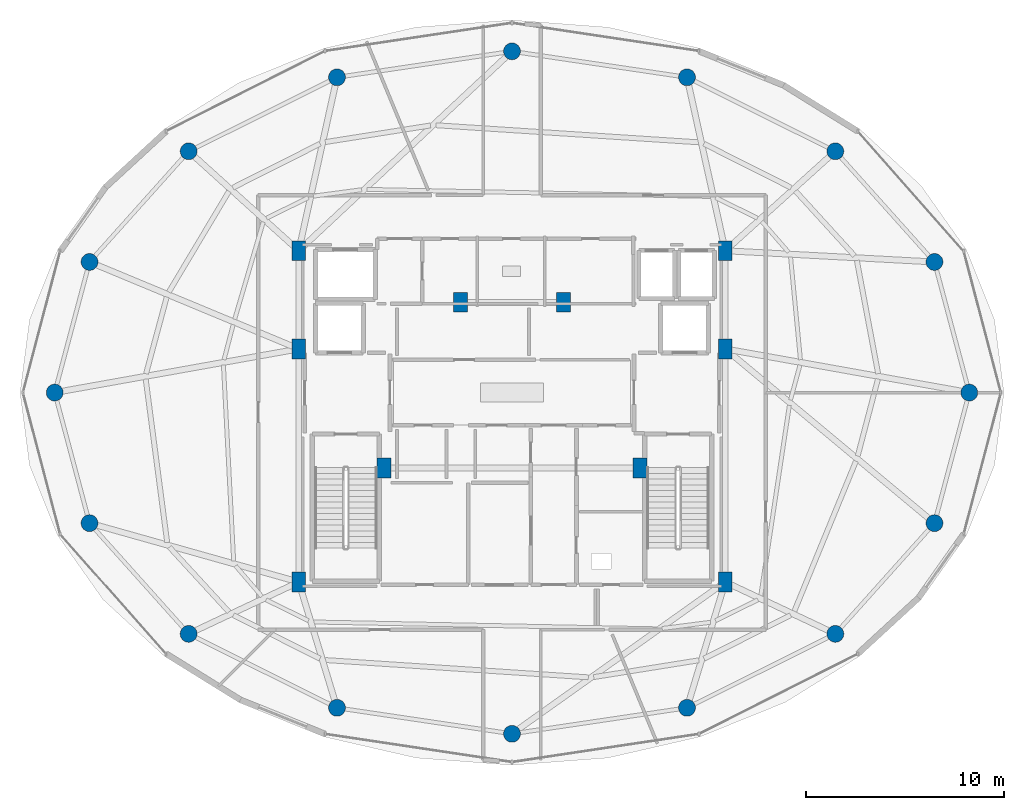
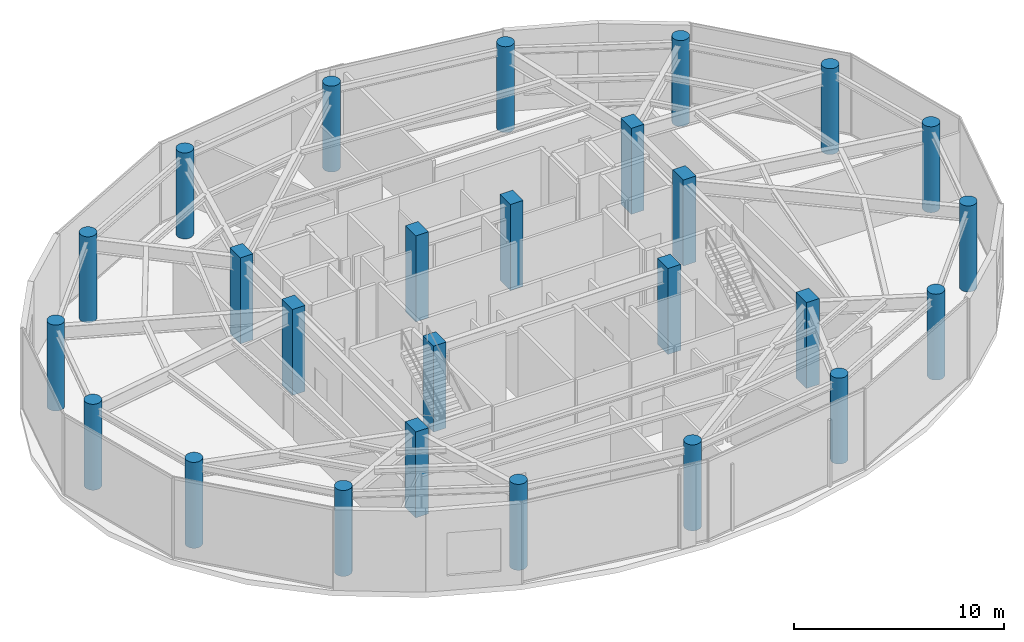
# One storey, part 1 of 24: 26 columns.
"""IFC4 building model written with IfcOpenShell, lengths in metres."""

from ifc_helpers import new_model, si_unit, direction, frame, origin, origin_2d, place, context, subcontext, project, spatial, rectangle, circle, extrude, material, material_profile, profile_set, type_object, element, save


model = new_model("IFC4")

# Units and contexts
model_context = context("Model", 3, precision=1e-05, world=origin(), true_north=direction((0.0, 1.0)))
body_context = subcontext(model_context, "Body", "Model", "MODEL_VIEW")
ifc_project = project(units=[si_unit("LENGTHUNIT", "METRE"), si_unit("AREAUNIT", "SQUARE_METRE"), si_unit("VOLUMEUNIT", "CUBIC_METRE"), si_unit("PLANEANGLEUNIT", "RADIAN"), si_unit("MASSUNIT", "GRAM", prefix="KILO")], contexts=[model_context])

# Site, building, storey
site_placement = place(None, origin())
site = spatial("IfcSite", under=ifc_project, at=site_placement, CompositionType="ELEMENT")
building_placement = place(site_placement, origin())
building = spatial("IfcBuilding", under=site, at=building_placement, Name="Vorneva Point Tower", CompositionType="ELEMENT")
storey_placement = place(building_placement, frame((0.0, 0.0, 285.39990234375)))
storey = spatial("IfcBuildingStorey", under=building, at=storey_placement, Name="L77", CompositionType="ELEMENT", Elevation=285.39990234375)

# Columns
ifc_material = material(Name="Concrete B50 (C40/50)", Category="concrete")
ifc_material_profile_1 = material_profile(ifc_material, circle(Radius=0.425048828125, at=origin_2d()), Name="RC-CIRC 850")
ifc_profile_set_1 = profile_set([ifc_material_profile_1], Name="Concrete B50 (C40/50)")
column_type_1 = type_object("IfcColumnType", Name="COL-RC850C", PredefinedType="COLUMN", material=ifc_profile_set_1)
for number, where, z_axis, x_axis, name in (
    (1, (61.050048828125, 26.0, 0.0), (0.0, 0.0, 1.0), (1.0, 0.0, 0.0), "L77 Perimeter Column P01"),
    (2, (59.29541015625, 32.582275390625, 0.0), (0.0, 0.0, 1.0), (0.923879532511, 0.382683432365, 0.0), "L77 Perimeter Column P02"),
    (3, (54.298828125, 38.162109375, 0.0), (0.0, 0.0, 1.0), (0.707106781187, 0.707106781187, 0.0), "L77 Perimeter Column P03"),
    (4, (46.82080078125, 41.890625, 0.0), (0.0, 0.0, 1.0), (0.382683432365, 0.923879532511, 0.0), "L77 Perimeter Column P04"),
    (5, (38.0, 43.199951171875, 0.0), (0.0, 0.0, 1.0), (0.0, 1.0, 0.0), "L77 Perimeter Column P05"),
    (6, (29.17919921875, 41.890625, 0.0), (0.0, 0.0, 1.0), (-0.382683432365, 0.923879532511, 0.0), "L77 Perimeter Column P06"),
    (7, (21.701171875, 38.162109375, 0.0), (0.0, 0.0, 1.0), (-0.707106781187, 0.707106781187, 0.0), "L77 Perimeter Column P07"),
    (8, (16.70458984375, 32.582275390625, 0.0), (0.0, 0.0, 1.0), (-0.923879532511, 0.382683432365, 0.0), "L77 Perimeter Column P08"),
    (9, (14.949951171875, 26.0, 0.0), (0.0, 0.0, 1.0), (-1.0, 0.0, 0.0), "L77 Perimeter Column P09"),
    (10, (16.70458984375, 19.417724609375, 0.0), (0.0, 0.0, 1.0), (-0.923879532511, -0.382683432365, 0.0), "L77 Perimeter Column P10"),
    (11, (21.701171875, 13.837890625, 0.0), (0.0, 0.0, 1.0), (-0.707106781187, -0.707106781187, 0.0), "L77 Perimeter Column P11"),
    (12, (29.17919921875, 10.109375, 0.0), (0.0, 0.0, 1.0), (-0.382683432365, -0.923879532511, 0.0), "L77 Perimeter Column P12"),
    (13, (38.0, 8.800048828125, 0.0), (0.0, 0.0, 1.0), (0.0, -1.0, 0.0), "L77 Perimeter Column P13"),
    (14, (46.82080078125, 10.109375, 0.0), (0.0, 0.0, 1.0), (0.382683432365, -0.923879532511, 0.0), "L77 Perimeter Column P14"),
    (15, (54.298828125, 13.837890625, 0.0), (0.0, 0.0, 1.0), (0.707106781187, -0.707106781187, 0.0), "L77 Perimeter Column P15"),
    (16, (59.29541015625, 19.417724609375, 0.0), (0.0, 0.0, 1.0), (0.923879532511, -0.382683432365, 0.0), "L77 Perimeter Column P16"),
):
    element("IfcColumn", number, at=place(storey_placement, frame(where, z_axis=z_axis, x_axis=x_axis)), inside=storey, type_object=column_type_1, Name=name, PredefinedType="COLUMN", context=body_context, shape_type="SweptSolid", body=[
        extrude(circle(Radius=0.425048828125, at=origin_2d()), origin(), (0.0, 0.0, 1.0), 5.0),
    ])
ifc_material_profile_2 = material_profile(ifc_material, rectangle(XDim=0.699951171875, YDim=1.0, at=origin_2d()), Name="RC-PIL 1000x700")
ifc_profile_set_2 = profile_set([ifc_material_profile_2], Name="Concrete B50 (C40/50)")
column_type_2 = type_object("IfcColumnType", Name="PIL-RC1000x700", PredefinedType="PILASTER", material=ifc_profile_set_2)
for number, where, z_axis, x_axis, name in (
    (17, (27.25, 16.449951171875, 0.0), (0.0, 0.0, 1.0), (1.0, 0.0, 0.0), "L77 Core Pilaster CP1"),
    (18, (27.25, 28.199951171875, 0.0), (0.0, 0.0, 1.0), (1.0, 0.0, 0.0), "L77 Core Pilaster CP2"),
    (19, (27.25, 33.14990234375, 0.0), (0.0, 0.0, 1.0), (1.0, 0.0, 0.0), "L77 Core Pilaster CP3"),
    (20, (31.550048828125, 22.199951171875, 0.0), (0.0, 0.0, 1.0), (1.0, 0.0, 0.0), "L77 Core Pilaster CP4"),
    (21, (48.75, 33.14990234375, 0.0), (0.0, 0.0, 1.0), (1.0, 0.0, 0.0), "L77 Core Pilaster CP5"),
    (22, (48.75, 28.199951171875, 0.0), (0.0, 0.0, 1.0), (1.0, 0.0, 0.0), "L77 Core Pilaster CP6"),
    (23, (48.75, 16.449951171875, 0.0), (0.0, 0.0, 1.0), (1.0, 0.0, 0.0), "L77 Core Pilaster CP7"),
    (24, (44.449951171875, 22.199951171875, 0.0), (0.0, 0.0, 1.0), (1.0, 0.0, 0.0), "L77 Core Pilaster CP8"),
    (25, (35.39990234375, 30.550048828125, 0.0), (0.0, 0.0, 1.0), (1.0, 0.0, 0.0), "L77 Core Pilaster CP9"),
    (26, (40.60009765625, 30.550048828125, 0.0), (0.0, 0.0, 1.0), (1.0, 0.0, 0.0), "L77 Core Pilaster CP10"),
):
    element("IfcColumn", number, at=place(storey_placement, frame(where, z_axis=z_axis, x_axis=x_axis)), inside=storey, type_object=column_type_2, Name=name, PredefinedType="PILASTER", context=body_context, shape_type="SweptSolid", body=[
        extrude(rectangle(XDim=0.699951171875, YDim=1.0, at=origin_2d()), origin(), (0.0, 0.0, 1.0), 5.0),
    ])

save(model, "model.ifc")
